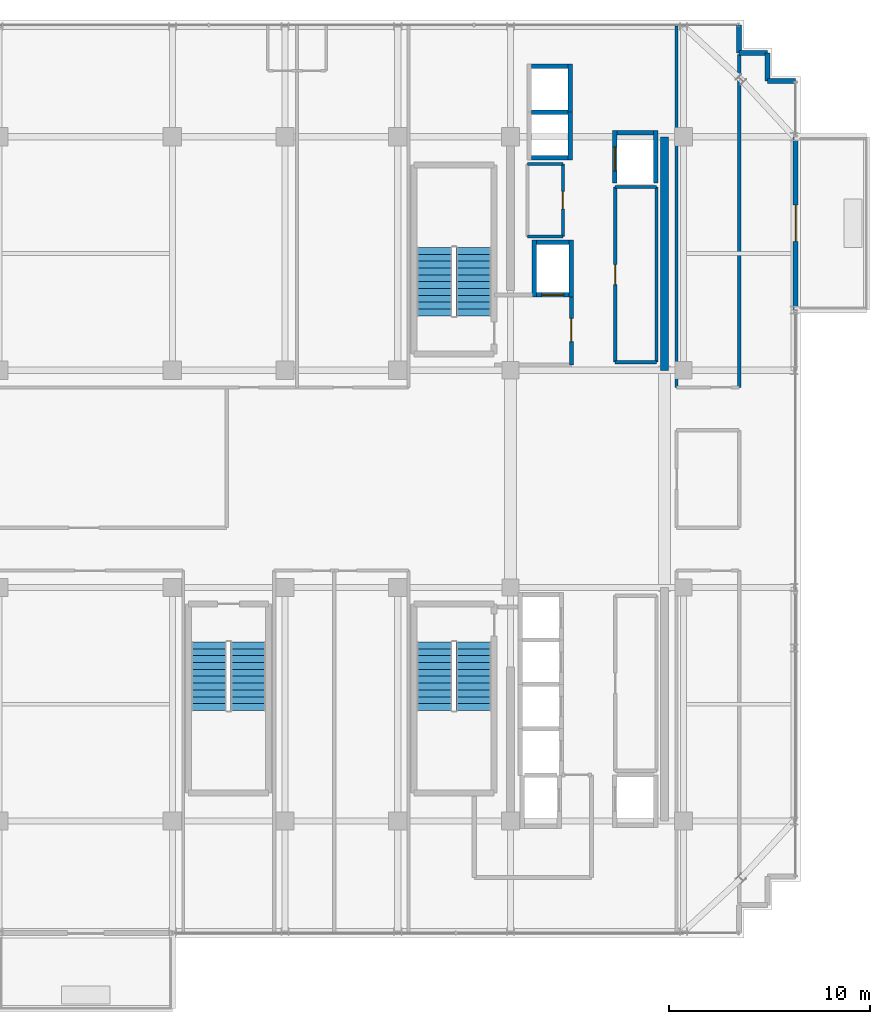
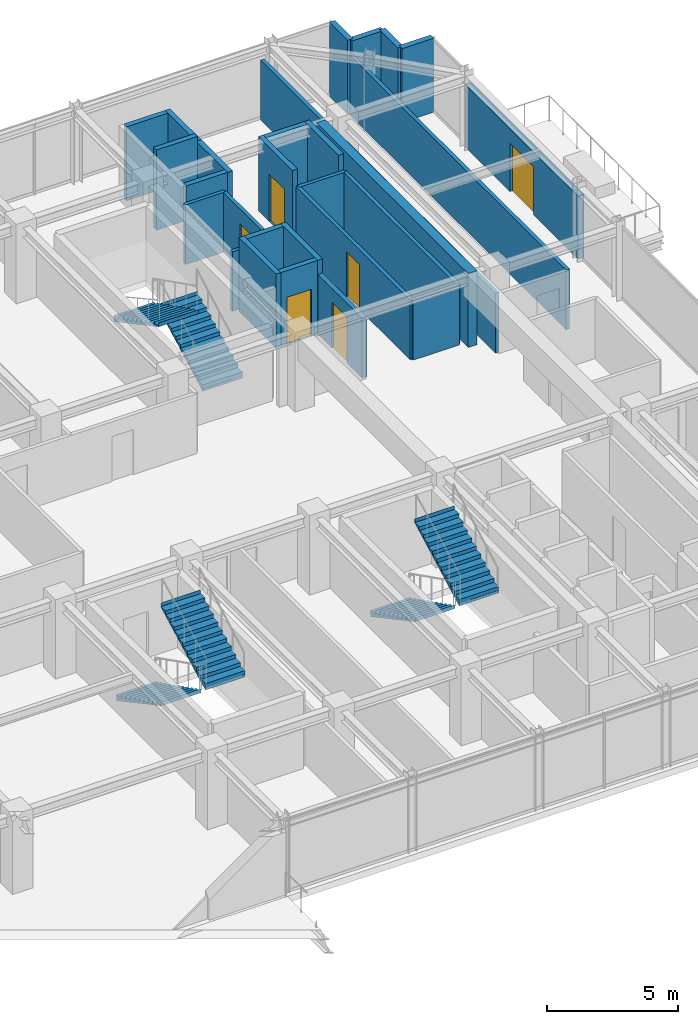
# One storey, part 29 of 32: 28 walls, 6 doors, 6 stair flights, 6 openings, 3 elements without a shape of their own.
"""IFC4 building model written with IfcOpenShell, lengths in metres."""

from ifc_helpers import new_model, si_unit, direction, frame, frame_2d, origin, place, context, subcontext, project, spatial, polyline, rectangle, outline, extrude, source, transform, mapped, material, layer, layer_set, type_object, element, fill, aggregate, save


model = new_model("IFC4")

# Units and contexts
model_context = context("Model", 3, precision=1e-05, world=origin(), true_north=direction((0.0, 1.0)))
body_context = subcontext(model_context, "Body", "Model", "MODEL_VIEW")
ifc_project = project(units=[si_unit("LENGTHUNIT", "METRE"), si_unit("AREAUNIT", "SQUARE_METRE"), si_unit("VOLUMEUNIT", "CUBIC_METRE"), si_unit("PLANEANGLEUNIT", "RADIAN"), si_unit("MASSUNIT", "GRAM", prefix="KILO")], contexts=[model_context])

# Site, building, storey
site_placement = place(None, origin())
site = spatial("IfcSite", under=ifc_project, at=site_placement, CompositionType="ELEMENT")
building_placement = place(site_placement, origin())
building = spatial("IfcBuilding", under=site, at=building_placement, Name="Nahalor Promenade Grand Hotel", CompositionType="ELEMENT")
storey_placement = place(building_placement, frame((0.0, 0.0, 285.050048828125)))
storey = spatial("IfcBuildingStorey", under=building, at=storey_placement, Name="L73", CompositionType="ELEMENT", Elevation=285.050048828125)

# Walls
ifc_material_1 = material(Name="Concrete B-50 (C40/50)", Category="concrete")
ifc_layer_1 = layer(ifc_material_1, 0.39990234375)
ifc_layer_set_1 = layer_set([ifc_layer_1], Name="Concrete B-50 (C40/50)")
wall_type_1 = type_object("IfcWallType", Name="Wall-CoreShear-400", PredefinedType="SHEAR", material=ifc_layer_set_1)
shared_shape_1 = source(origin(), body_context, "Body", "SweptSolid", [
    extrude(rectangle(XDim=11.60009765625, YDim=0.39990234375, at=frame_2d((5.800048828125, 0.0))), origin(), (0.0, 0.0, 1.0), 3.449951171875),
])
wall_1_placement = place(storey_placement, frame((16.050048828125, 5.39990234375, 0.0), z_axis=(0.0, 0.0, 1.0), x_axis=(0.0, 1.0, 0.0)))
element("IfcWall", 1, at=wall_1_placement, inside=storey, type_object=wall_type_1, Name="CWALL-L73-NE", PredefinedType="SHEAR", context=body_context, shape_type="MappedRepresentation", body=[
    mapped(shared_shape_1, transform((0.0, 0.0, 0.0), scale=1.0)),
])
ifc_layer_2 = layer(ifc_material_1, 0.219970703125)
ifc_layer_set_2 = layer_set([ifc_layer_2], Name="Concrete B-50 (C40/50)")
wall_type_2 = type_object("IfcWallType", Name="Wall-LiftShaft-220", PredefinedType="SHEAR", material=ifc_layer_set_2)
shared_shape_2 = source(origin(), body_context, "Body", "SweptSolid", [
    extrude(rectangle(XDim=1.820068359375, YDim=0.219970703125, at=frame_2d((0.91015625, 0.0))), origin(), (0.0, 0.0, 1.0), 3.449951171875),
])
for number, where, z_axis, x_axis, name in (
    (2, (9.43994140625, 15.949951171875, 0.0), (0.0, 0.0, 1.0), (1.0, 0.0, 0.0), "L73 Lift OB1 Hoistway Wall S"),
    (3, (9.43994140625, 20.5, 0.0), (0.0, 0.0, 1.0), (1.0, 0.0, 0.0), "L73 Lift OB2 Hoistway Wall N"),
    (4, (13.68994140625, 17.199951171875, 0.0), (0.0, 0.0, 1.0), (1.0, 0.0, 0.0), "L73 Lift SV1 Hoistway Wall N"),
):
    element("IfcWall", number, at=place(storey_placement, frame(where, z_axis=z_axis, x_axis=x_axis)), inside=storey, type_object=wall_type_2, Name=name, PredefinedType="SHEAR", context=body_context, shape_type="MappedRepresentation", body=[
        mapped(shared_shape_2, transform((0.0, 0.0, 0.0), scale=1.0)),
    ])
shared_shape_3 = source(origin(), body_context, "Body", "SweptSolid", [
    extrude(rectangle(XDim=1.820068359375, YDim=0.219970703125, at=frame_2d((0.91015625, 0.0))), origin(), (0.0, 0.0, 1.0), 3.75),
])
wall_2_placement = place(storey_placement, frame((9.43994140625, 18.22509765625, 0.0), z_axis=(0.0, 0.0, 1.0), x_axis=(1.0, 0.0, 0.0)))
element("IfcWall", 5, at=wall_2_placement, inside=storey, type_object=wall_type_2, Name="L73 Lift OB1 Hoistway Wall N", PredefinedType="SHEAR", context=body_context, shape_type="MappedRepresentation", body=[
    mapped(shared_shape_3, transform((0.0, 0.0, 0.0), scale=1.0)),
])
shared_shape_4 = source(origin(), body_context, "Body", "SweptSolid", [
    extrude(rectangle(XDim=2.385009765625, YDim=0.219970703125, at=frame_2d((1.1923828125, 0.0))), origin(), (0.0, 0.0, 1.0), 3.449951171875),
])
for number, where, z_axis, x_axis, name in (
    (6, (11.3701171875, 15.840087890625, 0.0), (0.0, 0.0, 1.0), (0.0, 1.0, 0.0), "L73 Lift OB1 Hoistway Wall E"),
    (7, (11.3701171875, 18.22509765625, 0.0), (0.0, 0.0, 1.0), (0.0, 1.0, 0.0), "L73 Lift OB2 Hoistway Wall E"),
):
    element("IfcWall", number, at=place(storey_placement, frame(where, z_axis=z_axis, x_axis=x_axis)), inside=storey, type_object=wall_type_2, Name=name, PredefinedType="SHEAR", context=body_context, shape_type="MappedRepresentation", body=[
        mapped(shared_shape_4, transform((0.0, 0.0, 0.0), scale=1.0)),
    ])
shared_shape_5 = source(origin(), body_context, "Body", "SweptSolid", [
    extrude(rectangle(XDim=2.820068359375, YDim=0.219970703125, at=frame_2d((1.41015625, 0.0))), origin(), (0.0, 0.0, 1.0), 3.449951171875),
])
for number, where, z_axis, x_axis, name in (
    (8, (9.580078125, 9.0400390625, 0.0), (0.0, 0.0, 1.0), (0.0, 1.0, 0.0), "L73 Lift FL1 Hoistway Wall W"),
    (9, (11.419921875, 9.0400390625, 0.0), (0.0, 0.0, 1.0), (0.0, 1.0, 0.0), "L73 Lift FL1 Hoistway Wall E"),
):
    element("IfcWall", number, at=place(storey_placement, frame(where, z_axis=z_axis, x_axis=x_axis)), inside=storey, type_object=wall_type_2, Name=name, PredefinedType="SHEAR", context=body_context, shape_type="MappedRepresentation", body=[
        mapped(shared_shape_5, transform((0.0, 0.0, 0.0), scale=1.0)),
    ])

# Wall, opening, door
shared_shape_6 = source(origin(), body_context, "Body", "SweptSolid", [
    extrude(rectangle(XDim=1.6201171875, YDim=0.219970703125, at=frame_2d((0.81005859375, 0.0))), origin(), (0.0, 0.0, 1.0), 3.449951171875),
])
wall_3_placement = place(storey_placement, frame((9.68994140625, 9.14990234375, 0.0), z_axis=(0.0, 0.0, 1.0), x_axis=(1.0, 0.0, 0.0)))
wall_3 = element("IfcWall", 10, at=wall_3_placement, inside=storey, type_object=wall_type_2, Name="L73 Lift FL1 Hoistway Wall S", PredefinedType="SHEAR", context=body_context, shape_type="MappedRepresentation", body=[
    mapped(shared_shape_6, transform((0.0, 0.0, 0.0), scale=1.0)),
])
opening_1_placement = place(wall_3_placement, frame((0.260009765625, 0.0, 0.0)))
opening_1 = element("IfcOpeningElement", 11, at=opening_1_placement, cuts=wall_3, Name="Opening LD-02", PredefinedType="OPENING", context=body_context, shape_type="SweptSolid", body=[
    extrude(rectangle(XDim=1.10009765625, YDim=2.199951171875, at=frame_2d((0.550048828125, 1.10009765625))), frame((0.0, 0.119873046875, 0.0), z_axis=(0.0, -1.0, 0.0), x_axis=(1.0, 0.0, 0.0)), (0.0, 0.0, 1.0), 0.239990234375),
])
ifc_material_2 = material(Name="Steel S355JR", Category="steel")
door_type_1 = type_object("IfcDoorType", Name="Door-LiftFF-1100", OperationType="DOUBLE_DOOR_SLIDING", PredefinedType="DOOR", material=ifc_material_2)
shared_shape_7 = source(origin(), body_context, "Body", "SweptSolid", [
    extrude(rectangle(XDim=1.10009765625, YDim=2.199951171875, at=frame_2d((0.550048828125, 1.10009765625))), frame((0.0, 0.02490234375, 0.0), z_axis=(0.0, -1.0, 0.0), x_axis=(1.0, 0.0, 0.0)), (0.0, 0.0, 1.0), 0.050048828125),
])
door_1_placement = place(opening_1_placement, frame((1.10009765625, 0.0, 0.0), z_axis=(0.0, 0.0, 1.0), x_axis=(-1.0, 0.0, 0.0)))
door_1 = element("IfcDoor", 12, at=door_1_placement, inside=storey, type_object=door_type_1, Name="DR-LIFT-FL1-L73", OperationType="DOUBLE_DOOR_SLIDING", OverallHeight=2.199951171875, OverallWidth=1.10009765625, PredefinedType="DOOR", context=body_context, shape_type="MappedRepresentation", body=[
    mapped(shared_shape_7, transform((0.0, 0.0, 0.0), scale=1.0)),
])
fill(opening_1, door_1)

# Wall
wall_4_placement = place(storey_placement, frame((9.68994140625, 11.75, 0.0), z_axis=(0.0, 0.0, 1.0), x_axis=(1.0, 0.0, 0.0)))
element("IfcWall", 13, at=wall_4_placement, inside=storey, type_object=wall_type_2, Name="L73 Lift FL1 Hoistway Wall N", PredefinedType="SHEAR", context=body_context, shape_type="MappedRepresentation", body=[
    mapped(shared_shape_6, transform((0.0, 0.0, 0.0), scale=1.0)),
])

# Wall, opening, door
shared_shape_8 = source(origin(), body_context, "Body", "SweptSolid", [
    extrude(rectangle(XDim=2.610107421875, YDim=0.219970703125, at=frame_2d((1.30517578125, 0.0))), origin(), (0.0, 0.0, 1.0), 3.449951171875),
])
wall_5_placement = place(storey_placement, frame((13.580078125, 14.699951171875, 0.0), z_axis=(0.0, 0.0, 1.0), x_axis=(0.0, 1.0, 0.0)))
wall_5 = element("IfcWall", 14, at=wall_5_placement, inside=storey, type_object=wall_type_2, Name="L73 Lift SV1 Hoistway Wall W", PredefinedType="SHEAR", context=body_context, shape_type="MappedRepresentation", body=[
    mapped(shared_shape_8, transform((0.0, 0.0, 0.0), scale=1.0)),
])
opening_2_placement = place(wall_5_placement, frame((0.60009765625, 0.0, 0.0)))
opening_2 = element("IfcOpeningElement", 15, at=opening_2_placement, cuts=wall_5, Name="Opening LD-03", PredefinedType="OPENING", context=body_context, shape_type="SweptSolid", body=[
    extrude(rectangle(XDim=1.199951171875, YDim=2.199951171875, at=frame_2d((0.60009765625, 1.10009765625))), frame((0.0, 0.119873046875, 0.0), z_axis=(0.0, -1.0, 0.0), x_axis=(1.0, 0.0, 0.0)), (0.0, 0.0, 1.0), 0.239990234375),
])
door_type_2 = type_object("IfcDoorType", Name="Door-LiftService-1200", OperationType="DOUBLE_DOOR_SLIDING", PredefinedType="DOOR", material=ifc_material_2)
shared_shape_9 = source(origin(), body_context, "Body", "SweptSolid", [
    extrude(rectangle(XDim=1.199951171875, YDim=2.199951171875, at=frame_2d((0.60009765625, 1.10009765625))), frame((0.0, 0.02490234375, 0.0), z_axis=(0.0, -1.0, 0.0), x_axis=(1.0, 0.0, 0.0)), (0.0, 0.0, 1.0), 0.050048828125),
])
door_2_placement = place(opening_2_placement, origin())
door_2 = element("IfcDoor", 16, at=door_2_placement, inside=storey, type_object=door_type_2, Name="DR-LIFT-SV1-L73", OperationType="DOUBLE_DOOR_SLIDING", OverallHeight=2.199951171875, OverallWidth=1.199951171875, PredefinedType="DOOR", context=body_context, shape_type="MappedRepresentation", body=[
    mapped(shared_shape_9, transform((0.0, 0.0, 0.0), scale=1.0)),
])
fill(opening_2, door_2)

# Walls
wall_6_placement = place(storey_placement, frame((15.6201171875, 14.699951171875, 0.0), z_axis=(0.0, 0.0, 1.0), x_axis=(0.0, 1.0, 0.0)))
element("IfcWall", 17, at=wall_6_placement, inside=storey, type_object=wall_type_2, Name="L73 Lift SV1 Hoistway Wall E", PredefinedType="SHEAR", context=body_context, shape_type="MappedRepresentation", body=[
    mapped(shared_shape_8, transform((0.0, 0.0, 0.0), scale=1.0)),
])
ifc_material_3 = material(Name="Concrete B-40 (C32/40)", Category="concrete")
ifc_layer_3 = layer(ifc_material_3, 0.25)
ifc_layer_set_3 = layer_set([ifc_layer_3], Name="Concrete B-40 (C32/40)")
wall_type_3 = type_object("IfcWallType", Name="Wall-BronzePier-250", PredefinedType="STANDARD", material=ifc_layer_set_3)
shared_shape_10 = source(origin(), body_context, "Body", "SweptSolid", [
    extrude(rectangle(XDim=1.400146484375, YDim=0.25, at=frame_2d((0.7001953125, 0.0))), origin(), (0.0, 0.0, 1.0), 3.449951171875),
])
for number, where, z_axis, x_axis, name in (
    (18, (21.159912109375, 19.760009765625, 0.0), (0.0, 0.0, 1.0), (1.0, 0.0, 0.0), "W-L73-SR-05"),
    (19, (19.760009765625, 21.159912109375, 0.0), (0.0, 0.0, 1.0), (0.0, 1.0, 0.0), "W-L73-SR-08"),
):
    element("IfcWall", number, at=place(storey_placement, frame(where, z_axis=z_axis, x_axis=x_axis)), inside=storey, type_object=wall_type_3, Name=name, PredefinedType="STANDARD", context=body_context, shape_type="MappedRepresentation", body=[
        mapped(shared_shape_10, transform((0.0, 0.0, 0.0), scale=1.0)),
    ])
shared_shape_11 = source(origin(), body_context, "Body", "SweptSolid", [
    extrude(rectangle(XDim=1.39990234375, YDim=0.25, at=frame_2d((0.699951171875, 0.0))), origin(), (0.0, 0.0, 1.0), 3.449951171875),
])
for number, where, z_axis, x_axis, name in (
    (20, (21.159912109375, 19.760009765625, 0.0), (0.0, 0.0, 1.0), (0.0, 1.0, 0.0), "W-L73-SR-06"),
    (21, (19.760009765625, 21.159912109375, 0.0), (0.0, 0.0, 1.0), (1.0, 0.0, 0.0), "W-L73-SR-07"),
):
    element("IfcWall", number, at=place(storey_placement, frame(where, z_axis=z_axis, x_axis=x_axis)), inside=storey, type_object=wall_type_3, Name=name, PredefinedType="STANDARD", context=body_context, shape_type="MappedRepresentation", body=[
        mapped(shared_shape_11, transform((0.0, 0.0, 0.0), scale=1.0)),
    ])

# Wall, opening, door
ifc_layer_4 = layer(ifc_material_3, 0.260009765625)
ifc_layer_set_4 = layer_set([ifc_layer_4], Name="Concrete B-40 (C32/40)")
wall_type_4 = type_object("IfcWallType", Name="Wall-BalconyWall-260", PredefinedType="STANDARD", material=ifc_layer_set_4)
shared_shape_12 = source(origin(), body_context, "Body", "SweptSolid", [
    extrude(rectangle(XDim=8.60009765625, YDim=0.260009765625, at=frame_2d((4.300048828125, 0.0))), origin(), (0.0, 0.0, 1.0), 2.929931640625),
])
wall_7_placement = place(storey_placement, frame((22.56005859375, 8.39990234375, 0.0), z_axis=(0.0, 0.0, 1.0), x_axis=(0.0, 1.0, 0.0)))
wall_7 = element("IfcWall", 22, at=wall_7_placement, inside=storey, type_object=wall_type_4, Name="W-L73-BALC-E-2", PredefinedType="STANDARD", context=body_context, shape_type="MappedRepresentation", body=[
    mapped(shared_shape_12, transform((0.0, 0.0, 0.0), scale=1.0)),
])
opening_3_placement = place(wall_7_placement, frame((3.39990234375, 0.0, 0.0)))
opening_3 = element("IfcOpeningElement", 23, at=opening_3_placement, cuts=wall_7, Name="Opening D-BC1", PredefinedType="OPENING", context=body_context, shape_type="SweptSolid", body=[
    extrude(rectangle(XDim=1.800048828125, YDim=2.25, at=frame_2d((0.89990234375, 1.125))), frame((0.0, 0.139892578125, 0.0), z_axis=(0.0, -1.0, 0.0), x_axis=(1.0, 0.0, 0.0)), (0.0, 0.0, 1.0), 0.280029296875),
])
ifc_material_4 = material(Name="Anodised Bronze Aluminium EN AW-6063 T6", Category="aluminium")
door_type_3 = type_object("IfcDoorType", Name="Door-BalconySlide-1800", OperationType="DOUBLE_DOOR_SLIDING", PredefinedType="DOOR", material=ifc_material_4)
shared_shape_13 = source(origin(), body_context, "Body", "SweptSolid", [
    extrude(rectangle(XDim=1.800048828125, YDim=2.25, at=frame_2d((0.89990234375, 1.125))), frame((0.0, 0.02490234375, 0.0), z_axis=(0.0, -1.0, 0.0), x_axis=(1.0, 0.0, 0.0)), (0.0, 0.0, 1.0), 0.050048828125),
])
door_3_placement = place(opening_3_placement, frame((1.800048828125, 0.0, 0.0), z_axis=(0.0, 0.0, 1.0), x_axis=(-1.0, 0.0, 0.0)))
door_3 = element("IfcDoor", 24, at=door_3_placement, inside=storey, type_object=door_type_3, Name="DR-L73-BALC-E-2", OperationType="DOUBLE_DOOR_SLIDING", OverallHeight=2.25, OverallWidth=1.800048828125, PredefinedType="DOOR", context=body_context, shape_type="MappedRepresentation", body=[
    mapped(shared_shape_13, transform((0.0, 0.0, 0.0), scale=1.0)),
])
fill(opening_3, door_3)

ifc_layer_5 = layer(ifc_material_3, 0.199951171875)
ifc_layer_set_5 = layer_set([ifc_layer_5], Name="Concrete B-40 (C32/40)")
wall_type_5 = type_object("IfcWallType", Name="Wall-PartFire-200", PredefinedType="PARTITIONING", material=ifc_layer_set_5)
shared_shape_14 = source(origin(), body_context, "Body", "SweptSolid", [
    extrude(rectangle(XDim=3.5, YDim=0.199951171875, at=frame_2d((1.75, 0.0))), origin(), (0.0, 0.0, 1.0), 2.7900390625),
])
wall_8_placement = place(storey_placement, frame((11.419921875, 5.64990234375, 0.0), z_axis=(0.0, 0.0, 1.0), x_axis=(0.0, 1.0, 0.0)))
wall_8 = element("IfcWall", 25, at=wall_8_placement, inside=storey, type_object=wall_type_5, Name="W-L73-FF1-E", PredefinedType="PARTITIONING", context=body_context, shape_type="MappedRepresentation", body=[
    mapped(shared_shape_14, transform((0.0, 0.0, 0.0), scale=1.0)),
])
opening_4_placement = place(wall_8_placement, frame((1.175048828125, 0.0, 0.0)))
opening_4 = element("IfcOpeningElement", 26, at=opening_4_placement, cuts=wall_8, Name="Opening D-FF1", PredefinedType="OPENING", context=body_context, shape_type="SweptSolid", body=[
    extrude(rectangle(XDim=1.14990234375, YDim=2.14990234375, at=frame_2d((0.574951171875, 1.074951171875))), frame((0.0, 0.10986328125, 0.0), z_axis=(0.0, -1.0, 0.0), x_axis=(1.0, 0.0, 0.0)), (0.0, 0.0, 1.0), 0.219970703125),
])
door_type_4 = type_object("IfcDoorType", Name="Door-FFLobby-1150", OperationType="NOTDEFINED", PredefinedType="DOOR", material=ifc_material_2)
shared_shape_15 = source(origin(), body_context, "Body", "SweptSolid", [
    extrude(rectangle(XDim=1.14990234375, YDim=2.14990234375, at=frame_2d((0.574951171875, 1.074951171875))), frame((0.0, 0.02490234375, 0.0), z_axis=(0.0, -1.0, 0.0), x_axis=(1.0, 0.0, 0.0)), (0.0, 0.0, 1.0), 0.050048828125),
])
door_4_placement = place(opening_4_placement, frame((1.14990234375, 0.0, 0.0), z_axis=(0.0, 0.0, 1.0), x_axis=(-1.0, 0.0, 0.0)))
door_4 = element("IfcDoor", 27, at=door_4_placement, inside=storey, type_object=door_type_4, Name="DR-L73-FFL1", OperationType="SINGLE_SWING_LEFT", OverallHeight=2.14990234375, OverallWidth=1.14990234375, PredefinedType="DOOR", context=body_context, shape_type="MappedRepresentation", body=[
    mapped(shared_shape_15, transform((0.0, 0.0, 0.0), scale=1.0)),
])
fill(opening_4, door_4)

# Walls
ifc_material_5 = material(Name="Acoustic Mineral Gypsum", Category="gypsum")
ifc_layer_6 = layer(ifc_material_5, 0.14990234375)
ifc_layer_set_6 = layer_set([ifc_layer_6], Name="Acoustic Mineral Gypsum")
wall_type_6 = type_object("IfcWallType", Name="Wall-PartService-150", PredefinedType="PARTITIONING", material=ifc_layer_set_6)
shared_shape_16 = source(origin(), body_context, "Body", "SweptSolid", [
    extrude(rectangle(XDim=1.75, YDim=0.14990234375, at=frame_2d((0.875, 0.0))), origin(), (0.0, 0.0, 1.0), 2.7900390625),
])
for number, where, z_axis, x_axis, name in (
    (28, (9.25, 12.050048828125, 0.0), (0.0, 0.0, 1.0), (1.0, 0.0, 0.0), "W-L73-CK1A-S"),
    (29, (9.25, 15.64990234375, 0.0), (0.0, 0.0, 1.0), (1.0, 0.0, 0.0), "W-L73-CK1A-N"),
):
    element("IfcWall", number, at=place(storey_placement, frame(where, z_axis=z_axis, x_axis=x_axis)), inside=storey, type_object=wall_type_6, Name=name, PredefinedType="PARTITIONING", context=body_context, shape_type="MappedRepresentation", body=[
        mapped(shared_shape_16, transform((0.0, 0.0, 0.0), scale=1.0)),
    ])
ifc_layer_7 = layer(ifc_material_5, 0.159912109375)
ifc_layer_set_7 = layer_set([ifc_layer_7], Name="Acoustic Mineral Gypsum")
wall_type_7 = type_object("IfcWallType", Name="Wall-PartCorridor-160", PredefinedType="PARTITIONING", material=ifc_layer_set_7)
shared_shape_17 = source(origin(), body_context, "Body", "SweptSolid", [
    extrude(rectangle(XDim=2.0498046875, YDim=0.159912109375, at=frame_2d((1.02490234375, 0.0))), origin(), (0.0, 0.0, 1.0), 2.7900390625),
])
for number, where, z_axis, x_axis, name in (
    (30, (13.60009765625, 5.800048828125, 0.0), (0.0, 0.0, 1.0), (1.0, 0.0, 0.0), "W-L73-FRB1-S"),
    (31, (13.60009765625, 14.5, 0.0), (0.0, 0.0, 1.0), (1.0, 0.0, 0.0), "W-L73-FRB1-N"),
):
    element("IfcWall", number, at=place(storey_placement, frame(where, z_axis=z_axis, x_axis=x_axis)), inside=storey, type_object=wall_type_7, Name=name, PredefinedType="PARTITIONING", context=body_context, shape_type="MappedRepresentation", body=[
        mapped(shared_shape_17, transform((0.0, 0.0, 0.0), scale=1.0)),
    ])
shared_shape_18 = source(origin(), body_context, "Body", "SweptSolid", [
    extrude(rectangle(XDim=17.949951171875, YDim=0.159912109375, at=frame_2d((8.97509765625, 0.0))), origin(), (0.0, 0.0, 1.0), 2.7900390625),
])
wall_9_placement = place(storey_placement, frame((16.64990234375, 4.550048828125, 0.0), z_axis=(0.0, 0.0, 1.0), x_axis=(0.0, 1.0, 0.0)))
element("IfcWall", 32, at=wall_9_placement, inside=storey, type_object=wall_type_7, Name="W-L73-ENE-W", PredefinedType="PARTITIONING", context=body_context, shape_type="MappedRepresentation", body=[
    mapped(shared_shape_18, transform((0.0, 0.0, 0.0), scale=1.0)),
])
shared_shape_19 = source(origin(), body_context, "Body", "SweptSolid", [
    extrude(rectangle(XDim=16.530029296875, YDim=0.159912109375, at=frame_2d((8.26513671875, 0.0))), origin(), (0.0, 0.0, 1.0), 2.7900390625),
])
wall_10_placement = place(storey_placement, frame((19.760009765625, 4.550048828125, 0.0), z_axis=(0.0, 0.0, 1.0), x_axis=(0.0, 1.0, 0.0)))
element("IfcWall", 33, at=wall_10_placement, inside=storey, type_object=wall_type_7, Name="W-L73-ENE-E", PredefinedType="PARTITIONING", context=body_context, shape_type="MappedRepresentation", body=[
    mapped(shared_shape_19, transform((0.0, 0.0, 0.0), scale=1.0)),
])

# Wall, opening, door
shared_shape_20 = source(origin(), body_context, "Body", "SweptSolid", [
    extrude(rectangle(XDim=3.599853515625, YDim=0.14990234375, at=frame_2d((1.7998046875, 0.0))), origin(), (0.0, 0.0, 1.0), 2.7900390625),
])
wall_11_placement = place(storey_placement, frame((11.0, 12.050048828125, 0.0), z_axis=(0.0, 0.0, 1.0), x_axis=(0.0, 1.0, 0.0)))
wall_11 = element("IfcWall", 34, at=wall_11_placement, inside=storey, type_object=wall_type_6, Name="W-L73-CK1A-E", PredefinedType="PARTITIONING", context=body_context, shape_type="MappedRepresentation", body=[
    mapped(shared_shape_20, transform((0.0, 0.0, 0.0), scale=1.0)),
])
opening_5_placement = place(wall_11_placement, frame((1.360107421875, 0.0, 0.0)))
opening_5 = element("IfcOpeningElement", 35, at=opening_5_placement, cuts=wall_11, Name="Opening D-03", PredefinedType="OPENING", context=body_context, shape_type="SweptSolid", body=[
    extrude(rectangle(XDim=0.8798828125, YDim=2.10009765625, at=frame_2d((0.43994140625, 1.050048828125))), frame((0.0, 0.0849609375, 0.0), z_axis=(0.0, -1.0, 0.0), x_axis=(1.0, 0.0, 0.0)), (0.0, 0.0, 1.0), 0.169921875),
])
ifc_material_6 = material(Name="Fire-Rated Timber Composite", Category="wood")
door_type_5 = type_object("IfcDoorType", Name="Door-BathSwing-880", OperationType="NOTDEFINED", PredefinedType="DOOR", material=ifc_material_6)
shared_shape_21 = source(origin(), body_context, "Body", "SweptSolid", [
    extrude(rectangle(XDim=0.8798828125, YDim=2.10009765625, at=frame_2d((0.43994140625, 1.050048828125))), frame((0.0, 0.02490234375, 0.0), z_axis=(0.0, -1.0, 0.0), x_axis=(1.0, 0.0, 0.0)), (0.0, 0.0, 1.0), 0.050048828125),
])
door_5_placement = place(opening_5_placement, origin())
door_5 = element("IfcDoor", 36, at=door_5_placement, inside=storey, type_object=door_type_5, Name="DR-L73-CK1A", OperationType="SINGLE_SWING_LEFT", OverallHeight=2.10009765625, OverallWidth=0.8798828125, PredefinedType="DOOR", context=body_context, shape_type="MappedRepresentation", body=[
    mapped(shared_shape_21, transform((0.0, 0.0, 0.0), scale=1.0)),
])
fill(opening_5, door_5)

shared_shape_22 = source(origin(), body_context, "Body", "SweptSolid", [
    extrude(rectangle(XDim=8.699951171875, YDim=0.159912109375, at=frame_2d((4.35009765625, 0.0))), origin(), (0.0, 0.0, 1.0), 2.7900390625),
])
wall_12_placement = place(storey_placement, frame((13.60009765625, 5.800048828125, 0.0), z_axis=(0.0, 0.0, 1.0), x_axis=(0.0, 1.0, 0.0)))
wall_12 = element("IfcWall", 37, at=wall_12_placement, inside=storey, type_object=wall_type_7, Name="W-L73-FRB1-W", PredefinedType="PARTITIONING", context=body_context, shape_type="MappedRepresentation", body=[
    mapped(shared_shape_22, transform((0.0, 0.0, 0.0), scale=1.0)),
])
opening_6_placement = place(wall_12_placement, frame((3.85009765625, 0.0, 0.0)))
opening_6 = element("IfcOpeningElement", 38, at=opening_6_placement, cuts=wall_12, Name="Opening D-04", PredefinedType="OPENING", context=body_context, shape_type="SweptSolid", body=[
    extrude(rectangle(XDim=1.0, YDim=2.10009765625, at=frame_2d((0.5, 1.050048828125))), frame((0.0, 0.08984375, 0.0), z_axis=(0.0, -1.0, 0.0), x_axis=(1.0, 0.0, 0.0)), (0.0, 0.0, 1.0), 0.179931640625),
])
door_type_6 = type_object("IfcDoorType", Name="Door-ServiceFire-1000", OperationType="NOTDEFINED", PredefinedType="DOOR", material=ifc_material_2)
shared_shape_23 = source(origin(), body_context, "Body", "SweptSolid", [
    extrude(rectangle(XDim=1.0, YDim=2.10009765625, at=frame_2d((0.5, 1.050048828125))), frame((0.0, 0.02490234375, 0.0), z_axis=(0.0, -1.0, 0.0), x_axis=(1.0, 0.0, 0.0)), (0.0, 0.0, 1.0), 0.050048828125),
])
door_6_placement = place(opening_6_placement, frame((1.0, 0.0, 0.0), z_axis=(0.0, 0.0, 1.0), x_axis=(-1.0, 0.0, 0.0)))
door_6 = element("IfcDoor", 39, at=door_6_placement, inside=storey, type_object=door_type_6, Name="DR-L73-FRB1", OperationType="SINGLE_SWING_RIGHT", OverallHeight=2.10009765625, OverallWidth=1.0, PredefinedType="DOOR", context=body_context, shape_type="MappedRepresentation", body=[
    mapped(shared_shape_23, transform((0.0, 0.0, 0.0), scale=1.0)),
])
fill(opening_6, door_6)

# Wall
wall_13_placement = place(storey_placement, frame((15.64990234375, 5.800048828125, 0.0), z_axis=(0.0, 0.0, 1.0), x_axis=(0.0, 1.0, 0.0)))
element("IfcWall", 40, at=wall_13_placement, inside=storey, type_object=wall_type_7, Name="W-L73-FRB1-E", PredefinedType="PARTITIONING", context=body_context, shape_type="MappedRepresentation", body=[
    mapped(shared_shape_22, transform((0.0, 0.0, 0.0), scale=1.0)),
])

# Stair, stair flights
stair_type_1 = type_object("IfcStairType", Name="Stair-ST1", PredefinedType="HALF_TURN_STAIR", material=ifc_material_1)
stair_1_placement = place(storey_placement, origin())
stair_1 = element("IfcStair", 41, at=stair_1_placement, inside=storey, type_object=stair_type_1, Name="L73 ST1", PredefinedType="HALF_TURN_STAIR")
ifc_layer_8 = layer(ifc_material_1, 0.179931640625)
ifc_layer_set_8 = layer_set([ifc_layer_8], Name="Concrete B-50 (C40/50)")
stair_flight_type_1 = type_object("IfcStairFlightType", Name="Flight-ST1", PredefinedType="STRAIGHT", material=ifc_layer_set_8)
shared_shape_24 = source(origin(), body_context, "Body", "SweptSolid", [
    extrude(outline(polyline([(-0.00390625, -0.1201171875), (-0.00390625, 0.0), (0.0, 0.0), (0.0, 0.17041015625), (0.340087890625, 0.17041015625), (0.340087890625, 0.3408203125), (0.679931640625, 0.3408203125), (0.679931640625, 0.511474609375), (1.02001953125, 0.511474609375), (1.02001953125, 0.681884765625), (1.360107421875, 0.681884765625), (1.360107421875, 0.852294921875), (1.699951171875, 0.852294921875), (1.699951171875, 1.022705078125), (2.0400390625, 1.022705078125), (2.0400390625, 1.193115234375), (2.3798828125, 1.193115234375), (2.3798828125, 1.363525390625), (2.719970703125, 1.363525390625), (2.719970703125, 1.5341796875), (3.06005859375, 1.5341796875), (3.06005859375, 1.70458984375), (3.39990234375, 1.70458984375), (3.39990234375, 1.875), (3.404052734375, 1.875), (3.404052734375, 1.695068359375), (0.02001953125, -0.1201171875), (-0.00390625, -0.1201171875)])), frame((0.0, 0.875, 0.0), z_axis=(0.0, -1.0, 0.0), x_axis=(1.0, 0.0, 0.0)), (0.0, 0.0, 1.0), 1.75),
])
stair_flight_1_placement = place(storey_placement, frame((6.574951171875, 8.10009765625, 0.0), z_axis=(0.0, 0.0, 1.0), x_axis=(0.0, 1.0, 0.0)))
stair_flight_1 = element("IfcStairFlight", 42, at=stair_flight_1_placement, type_object=stair_flight_type_1, Name="ST1 flight 1", NumberOfRisers=11, NumberOfTreads=10, PredefinedType="STRAIGHT", RiserHeight=0.170454545, TreadLength=0.34, context=body_context, shape_type="MappedRepresentation", body=[
    mapped(shared_shape_24, transform((0.0, 0.0, 0.0), scale=1.0)),
])
stair_flight_2_placement = place(storey_placement, frame((4.625, 11.5, 1.875), z_axis=(0.0, 0.0, 1.0), x_axis=(0.0, -1.0, 0.0)))
stair_flight_2 = element("IfcStairFlight", 43, at=stair_flight_2_placement, type_object=stair_flight_type_1, Name="ST1 flight 2", NumberOfRisers=11, NumberOfTreads=10, PredefinedType="STRAIGHT", RiserHeight=0.170454545, TreadLength=0.34, context=body_context, shape_type="MappedRepresentation", body=[
    mapped(shared_shape_24, transform((0.0, 0.0, 0.0), scale=1.0)),
])
aggregate(stair_1, [stair_flight_1, stair_flight_2])

stair_type_2 = type_object("IfcStairType", Name="Stair-ST2", PredefinedType="HALF_TURN_STAIR", material=ifc_material_1)
stair_2_placement = place(storey_placement, origin())
stair_2 = element("IfcStair", 44, at=stair_2_placement, inside=storey, type_object=stair_type_2, Name="L73 ST2", PredefinedType="HALF_TURN_STAIR")
ifc_layer_9 = layer(ifc_material_1, 0.18994140625)
ifc_layer_set_9 = layer_set([ifc_layer_9], Name="Concrete B-50 (C40/50)")
stair_flight_type_2 = type_object("IfcStairFlightType", Name="Flight-ST2", PredefinedType="STRAIGHT", material=ifc_layer_set_9)
shared_shape_25 = source(origin(), body_context, "Body", "SweptSolid", [
    extrude(outline(polyline([(-0.00390625, -0.1201171875), (-0.00390625, 0.0), (0.0, 0.0), (0.0, 0.17041015625), (0.340087890625, 0.17041015625), (0.340087890625, 0.3408203125), (0.679931640625, 0.3408203125), (0.679931640625, 0.511474609375), (1.02001953125, 0.511474609375), (1.02001953125, 0.681884765625), (1.360107421875, 0.681884765625), (1.360107421875, 0.852294921875), (1.699951171875, 0.852294921875), (1.699951171875, 1.022705078125), (2.0400390625, 1.022705078125), (2.0400390625, 1.193115234375), (2.3798828125, 1.193115234375), (2.3798828125, 1.363525390625), (2.719970703125, 1.363525390625), (2.719970703125, 1.5341796875), (3.06005859375, 1.5341796875), (3.06005859375, 1.70458984375), (3.39990234375, 1.70458984375), (3.39990234375, 1.875), (3.404052734375, 1.875), (3.404052734375, 1.695068359375), (0.02001953125, -0.1201171875), (-0.00390625, -0.1201171875)])), frame((0.0, 0.875, 0.0), z_axis=(0.0, -1.0, 0.0), x_axis=(1.0, 0.0, 0.0)), (0.0, 0.0, 1.0), 1.75),
])
stair_flight_3_placement = place(storey_placement, frame((4.625, -8.10009765625, 0.0), z_axis=(0.0, 0.0, 1.0), x_axis=(0.0, -1.0, 0.0)))
stair_flight_3 = element("IfcStairFlight", 45, at=stair_flight_3_placement, type_object=stair_flight_type_2, Name="ST2 flight 1", NumberOfRisers=11, NumberOfTreads=10, PredefinedType="STRAIGHT", RiserHeight=0.170454545, TreadLength=0.34, context=body_context, shape_type="MappedRepresentation", body=[
    mapped(shared_shape_25, transform((0.0, 0.0, 0.0), scale=1.0)),
])
stair_flight_4_placement = place(storey_placement, frame((6.574951171875, -11.5, 1.875), z_axis=(0.0, 0.0, 1.0), x_axis=(0.0, 1.0, 0.0)))
stair_flight_4 = element("IfcStairFlight", 46, at=stair_flight_4_placement, type_object=stair_flight_type_2, Name="ST2 flight 2", NumberOfRisers=11, NumberOfTreads=10, PredefinedType="STRAIGHT", RiserHeight=0.170454545, TreadLength=0.34, context=body_context, shape_type="MappedRepresentation", body=[
    mapped(shared_shape_25, transform((0.0, 0.0, 0.0), scale=1.0)),
])
aggregate(stair_2, [stair_flight_3, stair_flight_4])

stair_type_3 = type_object("IfcStairType", Name="Stair-ST3", PredefinedType="HALF_TURN_STAIR", material=ifc_material_1)
stair_3_placement = place(storey_placement, origin())
stair_3 = element("IfcStair", 47, at=stair_3_placement, inside=storey, type_object=stair_type_3, Name="L73 ST3", PredefinedType="HALF_TURN_STAIR")
ifc_layer_10 = layer(ifc_material_1, 0.199951171875)
ifc_layer_set_10 = layer_set([ifc_layer_10], Name="Concrete B-50 (C40/50)")
stair_flight_type_3 = type_object("IfcStairFlightType", Name="Flight-ST3", PredefinedType="STRAIGHT", material=ifc_layer_set_10)
shared_shape_26 = source(origin(), body_context, "Body", "SweptSolid", [
    extrude(outline(polyline([(-0.00390625, -0.1201171875), (-0.00390625, 0.0), (0.0, 0.0), (0.0, 0.17041015625), (0.340087890625, 0.17041015625), (0.340087890625, 0.3408203125), (0.679931640625, 0.3408203125), (0.679931640625, 0.511474609375), (1.02001953125, 0.511474609375), (1.02001953125, 0.681884765625), (1.360107421875, 0.681884765625), (1.360107421875, 0.852294921875), (1.699951171875, 0.852294921875), (1.699951171875, 1.022705078125), (2.0400390625, 1.022705078125), (2.0400390625, 1.193115234375), (2.3798828125, 1.193115234375), (2.3798828125, 1.363525390625), (2.719970703125, 1.363525390625), (2.719970703125, 1.5341796875), (3.06005859375, 1.5341796875), (3.06005859375, 1.70458984375), (3.39990234375, 1.70458984375), (3.39990234375, 1.875), (3.404052734375, 1.875), (3.404052734375, 1.695068359375), (0.02001953125, -0.1201171875), (-0.00390625, -0.1201171875)])), frame((0.0, 0.875, 0.0), z_axis=(0.0, -1.0, 0.0), x_axis=(1.0, 0.0, 0.0)), (0.0, 0.0, 1.0), 1.75),
])
stair_flight_5_placement = place(storey_placement, frame((-6.574951171875, -8.10009765625, 0.0), z_axis=(0.0, 0.0, 1.0), x_axis=(0.0, -1.0, 0.0)))
stair_flight_5 = element("IfcStairFlight", 48, at=stair_flight_5_placement, type_object=stair_flight_type_3, Name="ST3 flight 1", NumberOfRisers=11, NumberOfTreads=10, PredefinedType="STRAIGHT", RiserHeight=0.170454545, TreadLength=0.34, context=body_context, shape_type="MappedRepresentation", body=[
    mapped(shared_shape_26, transform((0.0, 0.0, 0.0), scale=1.0)),
])
stair_flight_6_placement = place(storey_placement, frame((-4.625, -11.5, 1.875), z_axis=(0.0, 0.0, 1.0), x_axis=(0.0, 1.0, 0.0)))
stair_flight_6 = element("IfcStairFlight", 49, at=stair_flight_6_placement, type_object=stair_flight_type_3, Name="ST3 flight 2", NumberOfRisers=11, NumberOfTreads=10, PredefinedType="STRAIGHT", RiserHeight=0.170454545, TreadLength=0.34, context=body_context, shape_type="MappedRepresentation", body=[
    mapped(shared_shape_26, transform((0.0, 0.0, 0.0), scale=1.0)),
])
aggregate(stair_3, [stair_flight_5, stair_flight_6])

save(model, "model.ifc")
